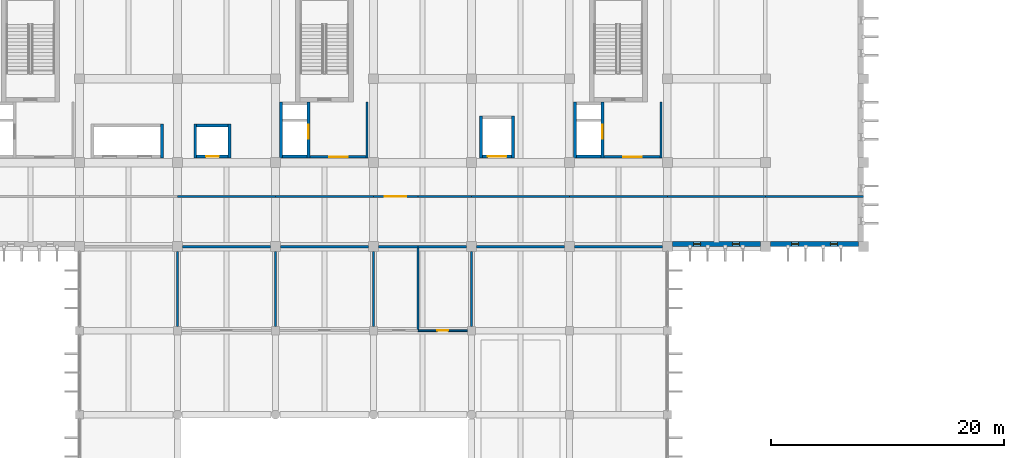
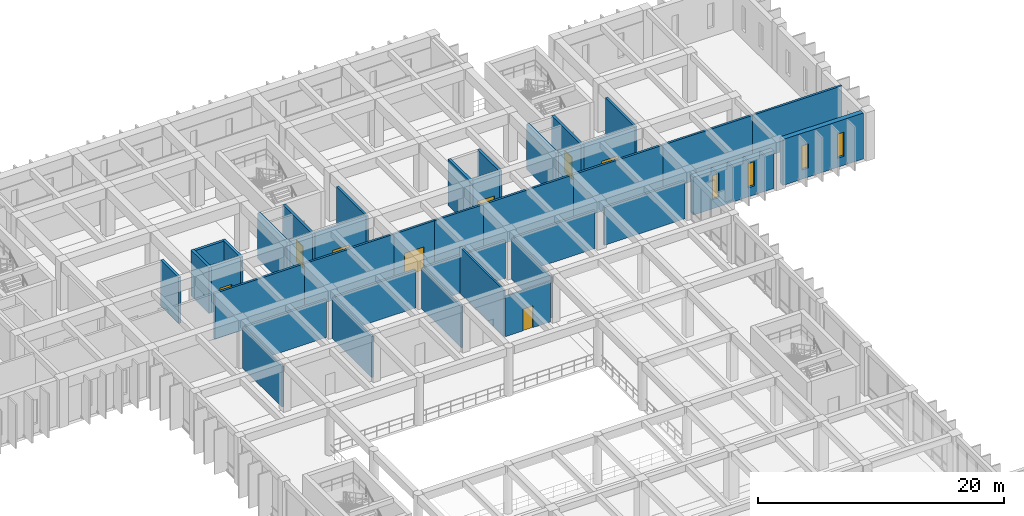
# One storey, part 35 of 51: 40 walls, 8 doors, 4 windows, 12 openings.
"""IFC4 building model written with IfcOpenShell, lengths in metres."""

from ifc_helpers import new_model, si_unit, direction, frame, frame_2d, origin, place, context, subcontext, project, spatial, rectangle, extrude, material, layer, layer_set, type_object, element, fill, save


model = new_model("IFC4")

# Units and contexts
model_context = context("Model", 3, precision=1e-05, world=origin(), true_north=direction((0.0, 1.0)))
body_context = subcontext(model_context, "Body", "Model", "MODEL_VIEW")
ifc_project = project(units=[si_unit("LENGTHUNIT", "METRE"), si_unit("AREAUNIT", "SQUARE_METRE"), si_unit("VOLUMEUNIT", "CUBIC_METRE"), si_unit("PLANEANGLEUNIT", "RADIAN"), si_unit("MASSUNIT", "GRAM", prefix="KILO")], contexts=[model_context])

# Site, building, storey
site_placement = place(None, origin())
site = spatial("IfcSite", under=ifc_project, at=site_placement, CompositionType="ELEMENT")
building_placement = place(site_placement, origin())
building = spatial("IfcBuilding", under=site, at=building_placement, Name="Kenerak Square Central Library", CompositionType="ELEMENT")
storey_placement = place(building_placement, frame((0.0, 0.0, 9.60009765625)))
storey = spatial("IfcBuildingStorey", under=building, at=storey_placement, Name="L02", CompositionType="ELEMENT", Elevation=9.60009765625)

# Wall, opening, door
ifc_material_1 = material(Name="Precast concrete C40/50", Category="concrete")
ifc_layer_1 = layer(ifc_material_1, 0.14990234375)
ifc_layer_set_1 = layer_set([ifc_layer_1], Name="Precast concrete C40/50")
wall_type_1 = type_object("IfcWallType", Name="Acoustic Blockwork Partition IW-150 C40/50", PredefinedType="PARTITIONING", material=ifc_layer_set_1)
wall_1_placement = place(storey_placement, frame((100.050048828125, 81.60009765625, 0.0), z_axis=(0.0, 0.0, 1.0), x_axis=(-1.0, 0.0, 0.0)))
wall_1 = element("IfcWall", 1, at=wall_1_placement, inside=storey, type_object=wall_type_1, Name="Interior Wall IW-L02-14-S1-B1", PredefinedType="PARTITIONING", context=body_context, shape_type="SweptSolid", body=[
    extrude(rectangle(XDim=4.25, YDim=0.14990234375, at=frame_2d((2.125, 0.0))), origin(), (0.0, 0.0, 1.0), 4.0),
])
opening_1_placement = place(wall_1_placement, frame((1.64990234375, 0.0, 0.0)))
opening_1 = element("IfcOpeningElement", 2, at=opening_1_placement, cuts=wall_1, Name="Opening ID-02", PredefinedType="OPENING", context=body_context, shape_type="SweptSolid", body=[
    extrude(rectangle(XDim=0.949951171875, YDim=2.14990234375, at=frame_2d((0.47509765625, 1.074951171875))), frame((0.0, 0.0849609375, 0.0), z_axis=(0.0, -1.0, 0.0), x_axis=(1.0, 0.0, 0.0)), (0.0, 0.0, 1.0), 0.169921875),
])
ifc_material_2 = material(Name="Chengal hardwood timber SG1", Category="wood")
door_type_1 = type_object("IfcDoorType", Name="Study Carrel Timber Door ID-950x2150", OperationType="NOTDEFINED", PredefinedType="DOOR", material=ifc_material_2)
door_1_placement = place(opening_1_placement, origin())
door_1 = element("IfcDoor", 3, at=door_1_placement, inside=storey, type_object=door_type_1, Name="Level 02 Collaborative Group Study Room Door", OperationType="SINGLE_SWING_LEFT", OverallHeight=2.14990234375, OverallWidth=0.949951171875, PredefinedType="DOOR", context=body_context, shape_type="SweptSolid", body=[
    extrude(rectangle(XDim=0.949951171875, YDim=2.14990234375, at=frame_2d((0.47509765625, 1.074951171875))), frame((0.0, 0.02490234375, 0.0), z_axis=(0.0, -1.0, 0.0), x_axis=(1.0, 0.0, 0.0)), (0.0, 0.0, 1.0), 0.050048828125),
])
fill(opening_1, door_1)

# Walls
wall_2_placement = place(storey_placement, frame((100.39990234375, 88.375, 0.0), z_axis=(0.0, 0.0, 1.0), x_axis=(0.0, -1.0, 0.0)))
element("IfcWall", 4, at=wall_2_placement, inside=storey, type_object=wall_type_1, Name="Interior Wall IW-L02-14-E4-B1", PredefinedType="PARTITIONING", context=body_context, shape_type="SweptSolid", body=[
    extrude(rectangle(XDim=6.425048828125, YDim=0.14990234375, at=frame_2d((3.21240234375, 0.0))), origin(), (0.0, 0.0, 1.0), 4.0498046875),
])
ifc_material_3 = material(Name="Concrete C40/50", Category="concrete")
ifc_layer_2 = layer(ifc_material_3, 0.199951171875)
ifc_layer_set_2 = layer_set([ifc_layer_2], Name="Concrete C40/50")
wall_type_2 = type_object("IfcWallType", Name="Lobby Compartment Wall LW-200 C40/50", PredefinedType="SOLIDWALL", material=ifc_layer_set_2)
wall_3_placement = place(storey_placement, frame((91.449951171875, 101.199951171875, 0.0), z_axis=(0.0, 0.0, 1.0), x_axis=(0.0, -1.0, 0.0)))
element("IfcWall", 5, at=wall_3_placement, inside=storey, type_object=wall_type_2, Name="Firefighting Lobby East Wall C2 L02", PredefinedType="SOLIDWALL", context=body_context, shape_type="SweptSolid", body=[
    extrude(rectangle(XDim=4.800048828125, YDim=0.199951171875, at=frame_2d((2.39990234375, 0.0))), origin(), (0.0, 0.0, 1.0), 4.5),
])

# Wall, opening, door
wall_4_placement = place(storey_placement, frame((91.35009765625, 96.5, 0.0), z_axis=(0.0, 0.0, 1.0), x_axis=(-1.0, 0.0, 0.0)))
wall_4 = element("IfcWall", 6, at=wall_4_placement, inside=storey, type_object=wall_type_2, Name="Firefighting Lobby South Wall C2 L02", PredefinedType="SOLIDWALL", context=body_context, shape_type="SweptSolid", body=[
    extrude(rectangle(XDim=4.800048828125, YDim=0.199951171875, at=frame_2d((2.39990234375, 0.0))), origin(), (0.0, 0.0, 1.0), 4.5),
])
opening_2_placement = place(wall_4_placement, frame((1.550048828125, 0.0, 0.0)))
opening_2 = element("IfcOpeningElement", 7, at=opening_2_placement, cuts=wall_4, Name="Opening D-FFL", PredefinedType="OPENING", context=body_context, shape_type="SweptSolid", body=[
    extrude(rectangle(XDim=1.60009765625, YDim=2.199951171875, at=frame_2d((0.800048828125, 1.10009765625))), frame((0.0, 0.10986328125, 0.0), z_axis=(0.0, -1.0, 0.0), x_axis=(1.0, 0.0, 0.0)), (0.0, 0.0, 1.0), 0.219970703125),
])
ifc_material_4 = material(Name="Steel S355", Category="steel")
door_type_2 = type_object("IfcDoorType", Name="Firefighting Lobby Double Door FD-1600x2200 FD60S", OperationType="NOTDEFINED", PredefinedType="DOOR", material=ifc_material_4)
door_2_placement = place(opening_2_placement, frame((1.60009765625, 0.0, 0.0), z_axis=(0.0, 0.0, 1.0), x_axis=(-1.0, 0.0, 0.0)))
door_2 = element("IfcDoor", 8, at=door_2_placement, inside=storey, type_object=door_type_2, Name="Firefighting Lobby Door C2 L02", OperationType="DOUBLE_DOOR_SINGLE_SWING", OverallHeight=2.199951171875, OverallWidth=1.60009765625, PredefinedType="DOOR", context=body_context, shape_type="SweptSolid", body=[
    extrude(rectangle(XDim=1.60009765625, YDim=2.199951171875, at=frame_2d((0.800048828125, 1.10009765625))), frame((0.0, 0.02490234375, 0.0), z_axis=(0.0, -1.0, 0.0), x_axis=(1.0, 0.0, 0.0)), (0.0, 0.0, 1.0), 0.050048828125),
])
fill(opening_2, door_2)

# Wall
wall_5_placement = place(storey_placement, frame((116.64990234375, 101.199951171875, 0.0), z_axis=(0.0, 0.0, 1.0), x_axis=(0.0, -1.0, 0.0)))
element("IfcWall", 9, at=wall_5_placement, inside=storey, type_object=wall_type_2, Name="Firefighting Lobby East Wall C3 L02", PredefinedType="SOLIDWALL", context=body_context, shape_type="SweptSolid", body=[
    extrude(rectangle(XDim=4.800048828125, YDim=0.199951171875, at=frame_2d((2.39990234375, 0.0))), origin(), (0.0, 0.0, 1.0), 4.5),
])

# Wall, opening, door
wall_6_placement = place(storey_placement, frame((116.550048828125, 96.5, 0.0), z_axis=(0.0, 0.0, 1.0), x_axis=(-1.0, 0.0, 0.0)))
wall_6 = element("IfcWall", 10, at=wall_6_placement, inside=storey, type_object=wall_type_2, Name="Firefighting Lobby South Wall C3 L02", PredefinedType="SOLIDWALL", context=body_context, shape_type="SweptSolid", body=[
    extrude(rectangle(XDim=4.800048828125, YDim=0.199951171875, at=frame_2d((2.39990234375, 0.0))), origin(), (0.0, 0.0, 1.0), 4.5),
])
opening_3_placement = place(wall_6_placement, frame((1.550048828125, 0.0, 0.0)))
opening_3 = element("IfcOpeningElement", 11, at=opening_3_placement, cuts=wall_6, Name="Opening D-FFL", PredefinedType="OPENING", context=body_context, shape_type="SweptSolid", body=[
    extrude(rectangle(XDim=1.60009765625, YDim=2.199951171875, at=frame_2d((0.800048828125, 1.10009765625))), frame((0.0, 0.10986328125, 0.0), z_axis=(0.0, -1.0, 0.0), x_axis=(1.0, 0.0, 0.0)), (0.0, 0.0, 1.0), 0.219970703125),
])
door_3_placement = place(opening_3_placement, frame((1.60009765625, 0.0, 0.0), z_axis=(0.0, 0.0, 1.0), x_axis=(-1.0, 0.0, 0.0)))
door_3 = element("IfcDoor", 12, at=door_3_placement, inside=storey, type_object=door_type_2, Name="Firefighting Lobby Door C3 L02", OperationType="DOUBLE_DOOR_SINGLE_SWING", OverallHeight=2.199951171875, OverallWidth=1.60009765625, PredefinedType="DOOR", context=body_context, shape_type="SweptSolid", body=[
    extrude(rectangle(XDim=1.60009765625, YDim=2.199951171875, at=frame_2d((0.800048828125, 1.10009765625))), frame((0.0, 0.02490234375, 0.0), z_axis=(0.0, -1.0, 0.0), x_axis=(1.0, 0.0, 0.0)), (0.0, 0.0, 1.0), 0.050048828125),
])
fill(opening_3, door_3)

# Walls
ifc_layer_3 = layer(ifc_material_1, 0.199951171875)
ifc_layer_set_3 = layer_set([ifc_layer_3], Name="Precast concrete C40/50")
wall_type_3 = type_object("IfcWallType", Name="Protected Corridor Fire Wall IW-200 C40/50", PredefinedType="PARTITIONING", material=ifc_layer_set_3)
wall_7_placement = place(storey_placement, frame((75.199951171875, 93.10009765625, 0.0), z_axis=(0.0, 0.0, 1.0), x_axis=(1.0, 0.0, 0.0)))
element("IfcWall", 13, at=wall_7_placement, inside=storey, type_object=wall_type_3, Name="Interior Wall IW-L02-06-N2-B4", PredefinedType="PARTITIONING", context=body_context, shape_type="SweptSolid", body=[
    extrude(rectangle(XDim=8.400146484375, YDim=0.199951171875, at=frame_2d((4.2001953125, 0.0))), origin(), (0.0, 0.0, 1.0), 4.5498046875),
])
wall_8_placement = place(storey_placement, frame((83.60009765625, 93.10009765625, 0.0), z_axis=(0.0, 0.0, 1.0), x_axis=(1.0, 0.0, 0.0)))
element("IfcWall", 14, at=wall_8_placement, inside=storey, type_object=wall_type_3, Name="Interior Wall IW-L02-06-N2-B5", PredefinedType="PARTITIONING", context=body_context, shape_type="SweptSolid", body=[
    extrude(rectangle(XDim=8.39990234375, YDim=0.199951171875, at=frame_2d((4.199951171875, 0.0))), origin(), (0.0, 0.0, 1.0), 4.5498046875),
])

# Wall, opening, door
wall_9_placement = place(storey_placement, frame((92.0, 93.10009765625, 0.0), z_axis=(0.0, 0.0, 1.0), x_axis=(1.0, 0.0, 0.0)))
wall_9 = element("IfcWall", 15, at=wall_9_placement, inside=storey, type_object=wall_type_3, Name="Interior Wall IW-L02-06-N2-B6", PredefinedType="PARTITIONING", context=body_context, shape_type="SweptSolid", body=[
    extrude(rectangle(XDim=3.800048828125, YDim=0.199951171875, at=frame_2d((1.89990234375, 0.0))), origin(), (0.0, 0.0, 1.0), 4.5498046875),
])
opening_4_placement = place(wall_9_placement, frame((0.97509765625, 0.0, 0.0)))
opening_4 = element("IfcOpeningElement", 16, at=opening_4_placement, cuts=wall_9, Name="Opening ID-09", PredefinedType="OPENING", context=body_context, shape_type="SweptSolid", body=[
    extrude(rectangle(XDim=1.85009765625, YDim=2.300048828125, at=frame_2d((0.925048828125, 1.14990234375))), frame((0.0, 0.10986328125, 0.0), z_axis=(0.0, -1.0, 0.0), x_axis=(1.0, 0.0, 0.0)), (0.0, 0.0, 1.0), 0.219970703125),
])
ifc_material_5 = material(Name="Anodised aluminium and laminated glass", Category="aluminium")
door_type_3 = type_object("IfcDoorType", Name="Reading Room Glazed Double Door ID-1850x2300 FD60S", OperationType="NOTDEFINED", PredefinedType="DOOR", material=ifc_material_5)
door_4_placement = place(opening_4_placement, origin())
door_4 = element("IfcDoor", 17, at=door_4_placement, inside=storey, type_object=door_type_3, Name="History and Geography Open Book Stacks Door", OperationType="DOUBLE_DOOR_SINGLE_SWING", OverallHeight=2.300048828125, OverallWidth=1.85009765625, PredefinedType="DOOR", context=body_context, shape_type="SweptSolid", body=[
    extrude(rectangle(XDim=1.85009765625, YDim=2.300048828125, at=frame_2d((0.925048828125, 1.14990234375))), frame((0.0, 0.02490234375, 0.0), z_axis=(0.0, -1.0, 0.0), x_axis=(1.0, 0.0, 0.0)), (0.0, 0.0, 1.0), 0.050048828125),
])
fill(opening_4, door_4)

# Walls
wall_10_placement = place(storey_placement, frame((95.800048828125, 93.10009765625, 0.0), z_axis=(0.0, 0.0, 1.0), x_axis=(1.0, 0.0, 0.0)))
element("IfcWall", 18, at=wall_10_placement, inside=storey, type_object=wall_type_3, Name="Interior Wall IW-L02-06-N2-B7", PredefinedType="PARTITIONING", context=body_context, shape_type="SweptSolid", body=[
    extrude(rectangle(XDim=4.599853515625, YDim=0.199951171875, at=frame_2d((2.2998046875, 0.0))), origin(), (0.0, 0.0, 1.0), 4.5498046875),
])
wall_11_placement = place(storey_placement, frame((100.39990234375, 93.10009765625, 0.0), z_axis=(0.0, 0.0, 1.0), x_axis=(1.0, 0.0, 0.0)))
element("IfcWall", 19, at=wall_11_placement, inside=storey, type_object=wall_type_3, Name="Interior Wall IW-L02-06-N2-B8", PredefinedType="PARTITIONING", context=body_context, shape_type="SweptSolid", body=[
    extrude(rectangle(XDim=8.400146484375, YDim=0.199951171875, at=frame_2d((4.2001953125, 0.0))), origin(), (0.0, 0.0, 1.0), 4.5498046875),
])
wall_12_placement = place(storey_placement, frame((108.800048828125, 93.10009765625, 0.0), z_axis=(0.0, 0.0, 1.0), x_axis=(1.0, 0.0, 0.0)))
element("IfcWall", 20, at=wall_12_placement, inside=storey, type_object=wall_type_3, Name="Interior Wall IW-L02-06-N2-B9", PredefinedType="PARTITIONING", context=body_context, shape_type="SweptSolid", body=[
    extrude(rectangle(XDim=8.39990234375, YDim=0.199951171875, at=frame_2d((4.199951171875, 0.0))), origin(), (0.0, 0.0, 1.0), 4.5498046875),
])
wall_13_placement = place(storey_placement, frame((117.199951171875, 93.10009765625, 0.0), z_axis=(0.0, 0.0, 1.0), x_axis=(1.0, 0.0, 0.0)))
element("IfcWall", 21, at=wall_13_placement, inside=storey, type_object=wall_type_3, Name="Interior Wall IW-L02-06-N2-B10", PredefinedType="PARTITIONING", context=body_context, shape_type="SweptSolid", body=[
    extrude(rectangle(XDim=8.400146484375, YDim=0.199951171875, at=frame_2d((4.2001953125, 0.0))), origin(), (0.0, 0.0, 1.0), 4.5498046875),
])
wall_14_placement = place(storey_placement, frame((125.60009765625, 93.10009765625, 0.0), z_axis=(0.0, 0.0, 1.0), x_axis=(1.0, 0.0, 0.0)))
element("IfcWall", 22, at=wall_14_placement, inside=storey, type_object=wall_type_3, Name="Interior Wall IW-L02-06-N2-B11", PredefinedType="PARTITIONING", context=body_context, shape_type="SweptSolid", body=[
    extrude(rectangle(XDim=8.39990234375, YDim=0.199951171875, at=frame_2d((4.199951171875, 0.0))), origin(), (0.0, 0.0, 1.0), 4.5498046875),
])
wall_15_placement = place(storey_placement, frame((116.77490234375, 88.800048828125, 0.0), z_axis=(0.0, 0.0, 1.0), x_axis=(-1.0, 0.0, 0.0)))
element("IfcWall", 23, at=wall_15_placement, inside=storey, type_object=wall_type_3, Name="Interior Wall IW-L02-06-S1-B3", PredefinedType="PARTITIONING", context=body_context, shape_type="SweptSolid", body=[
    extrude(rectangle(XDim=7.5498046875, YDim=0.199951171875, at=frame_2d((3.77490234375, 0.0))), origin(), (0.0, 0.0, 1.0), 3.75),
])
wall_16_placement = place(storey_placement, frame((108.375, 88.800048828125, 0.0), z_axis=(0.0, 0.0, 1.0), x_axis=(-1.0, 0.0, 0.0)))
element("IfcWall", 24, at=wall_16_placement, inside=storey, type_object=wall_type_3, Name="Interior Wall IW-L02-06-S1-B4", PredefinedType="PARTITIONING", context=body_context, shape_type="SweptSolid", body=[
    extrude(rectangle(XDim=7.550048828125, YDim=0.199951171875, at=frame_2d((3.77490234375, 0.0))), origin(), (0.0, 0.0, 1.0), 3.75),
])
wall_17_placement = place(storey_placement, frame((99.97509765625, 88.800048828125, 0.0), z_axis=(0.0, 0.0, 1.0), x_axis=(-1.0, 0.0, 0.0)))
element("IfcWall", 25, at=wall_17_placement, inside=storey, type_object=wall_type_3, Name="Interior Wall IW-L02-06-S1-B5", PredefinedType="PARTITIONING", context=body_context, shape_type="SweptSolid", body=[
    extrude(rectangle(XDim=4.175048828125, YDim=0.199951171875, at=frame_2d((2.08740234375, 0.0))), origin(), (0.0, 0.0, 1.0), 3.75),
])
wall_18_placement = place(storey_placement, frame((95.800048828125, 88.800048828125, 0.0), z_axis=(0.0, 0.0, 1.0), x_axis=(-1.0, 0.0, 0.0)))
element("IfcWall", 26, at=wall_18_placement, inside=storey, type_object=wall_type_3, Name="Interior Wall IW-L02-06-S1-B6", PredefinedType="PARTITIONING", context=body_context, shape_type="SweptSolid", body=[
    extrude(rectangle(XDim=3.375, YDim=0.199951171875, at=frame_2d((1.6875, 0.0))), origin(), (0.0, 0.0, 1.0), 3.75),
])
for number, where, z_axis, x_axis, name in (
    (27, (91.574951171875, 88.800048828125, 0.0), (0.0, 0.0, 1.0), (-1.0, 0.0, 0.0), "Interior Wall IW-L02-06-S1-B7"),
    (28, (83.175048828125, 88.800048828125, 0.0), (0.0, 0.0, 1.0), (-1.0, 0.0, 0.0), "Interior Wall IW-L02-06-S1-B8"),
):
    element("IfcWall", number, at=place(storey_placement, frame(where, z_axis=z_axis, x_axis=x_axis)), inside=storey, type_object=wall_type_3, Name=name, PredefinedType="PARTITIONING", context=body_context, shape_type="SweptSolid", body=[
        extrude(rectangle(XDim=7.550048828125, YDim=0.199951171875, at=frame_2d((3.77490234375, 0.0))), origin(), (0.0, 0.0, 1.0), 3.75),
    ])

# Wall, openings, windows
ifc_layer_4 = layer(ifc_material_3, 0.449951171875)
ifc_layer_set_4 = layer_set([ifc_layer_4], Name="Concrete C40/50")
wall_type_4 = type_object("IfcWallType", Name="Rare-Books Vault Exterior Wall VW-450 C40/50", PredefinedType="SOLIDWALL", material=ifc_layer_set_4)
wall_19_placement = place(storey_placement, frame((133.574951171875, 89.02490234375, 0.0), z_axis=(0.0, 0.0, 1.0), x_axis=(-1.0, 0.0, 0.0)))
wall_19 = element("IfcWall", 29, at=wall_19_placement, inside=storey, type_object=wall_type_4, Name="Exterior Facade Wall L02 0187", PredefinedType="SOLIDWALL", context=body_context, shape_type="SweptSolid", body=[
    extrude(rectangle(XDim=7.550048828125, YDim=0.449951171875, at=frame_2d((3.77490234375, 0.0))), origin(), (0.0, 0.0, 1.0), 4.5498046875),
])
opening_5_placement = place(wall_19_placement, frame((1.81396484375, 0.0, 0.89990234375)))
opening_5 = element("IfcOpeningElement", 30, at=opening_5_placement, cuts=wall_19, Name="Opening W-01", PredefinedType="OPENING", context=body_context, shape_type="SweptSolid", body=[
    extrude(rectangle(XDim=0.60009765625, YDim=2.39990234375, at=frame_2d((0.300048828125, 1.199951171875))), frame((0.0, 0.23486328125, 0.0), z_axis=(0.0, -1.0, 0.0), x_axis=(1.0, 0.0, 0.0)), (0.0, 0.0, 1.0), 0.469970703125),
])
opening_6_placement = place(wall_19_placement, frame((5.135986328125, 0.0, 0.89990234375)))
opening_6 = element("IfcOpeningElement", 31, at=opening_6_placement, cuts=wall_19, Name="Opening W-01", PredefinedType="OPENING", context=body_context, shape_type="SweptSolid", body=[
    extrude(rectangle(XDim=0.60009765625, YDim=2.39990234375, at=frame_2d((0.300048828125, 1.199951171875))), frame((0.0, 0.23486328125, 0.0), z_axis=(0.0, -1.0, 0.0), x_axis=(1.0, 0.0, 0.0)), (0.0, 0.0, 1.0), 0.469970703125),
])
ifc_material_6 = material(Name="Solar-control low-E laminated double glazing", Category="glass")
window_type = type_object("IfcWindowType", Name="UV-Filtered Stack Slot Window W-01 600x2400", PartitioningType="SINGLE_PANEL", PredefinedType="WINDOW", material=ifc_material_6)
window_1_placement = place(opening_5_placement, origin())
window_1 = element("IfcWindow", 32, at=window_1_placement, inside=storey, type_object=window_type, Name="Window W-01 L02 0192", OverallHeight=2.39990234375, OverallWidth=0.60009765625, PartitioningType="SINGLE_PANEL", PredefinedType="WINDOW", context=body_context, shape_type="SweptSolid", body=[
    extrude(rectangle(XDim=0.60009765625, YDim=2.39990234375, at=frame_2d((0.300048828125, 1.199951171875))), frame((0.0, 0.030029296875, 0.0), z_axis=(0.0, -1.0, 0.0), x_axis=(1.0, 0.0, 0.0)), (0.0, 0.0, 1.0), 0.06005859375),
])
fill(opening_5, window_1)
window_2_placement = place(opening_6_placement, origin())
window_2 = element("IfcWindow", 33, at=window_2_placement, inside=storey, type_object=window_type, Name="Window W-01 L02 0193", OverallHeight=2.39990234375, OverallWidth=0.60009765625, PartitioningType="SINGLE_PANEL", PredefinedType="WINDOW", context=body_context, shape_type="SweptSolid", body=[
    extrude(rectangle(XDim=0.60009765625, YDim=2.39990234375, at=frame_2d((0.300048828125, 1.199951171875))), frame((0.0, 0.030029296875, 0.0), z_axis=(0.0, -1.0, 0.0), x_axis=(1.0, 0.0, 0.0)), (0.0, 0.0, 1.0), 0.06005859375),
])
fill(opening_6, window_2)

wall_20_placement = place(storey_placement, frame((125.175048828125, 89.02490234375, 0.0), z_axis=(0.0, 0.0, 1.0), x_axis=(-1.0, 0.0, 0.0)))
wall_20 = element("IfcWall", 34, at=wall_20_placement, inside=storey, type_object=wall_type_4, Name="Exterior Facade Wall L02 0188", PredefinedType="SOLIDWALL", context=body_context, shape_type="SweptSolid", body=[
    extrude(rectangle(XDim=7.550048828125, YDim=0.449951171875, at=frame_2d((3.77490234375, 0.0))), origin(), (0.0, 0.0, 1.0), 3.75),
])
opening_7_placement = place(wall_20_placement, frame((1.81396484375, 0.0, 0.89990234375)))
opening_7 = element("IfcOpeningElement", 35, at=opening_7_placement, cuts=wall_20, Name="Opening W-01", PredefinedType="OPENING", context=body_context, shape_type="SweptSolid", body=[
    extrude(rectangle(XDim=0.60009765625, YDim=2.39990234375, at=frame_2d((0.300048828125, 1.199951171875))), frame((0.0, 0.23486328125, 0.0), z_axis=(0.0, -1.0, 0.0), x_axis=(1.0, 0.0, 0.0)), (0.0, 0.0, 1.0), 0.469970703125),
])
opening_8_placement = place(wall_20_placement, frame((5.135986328125, 0.0, 0.89990234375)))
opening_8 = element("IfcOpeningElement", 36, at=opening_8_placement, cuts=wall_20, Name="Opening W-01", PredefinedType="OPENING", context=body_context, shape_type="SweptSolid", body=[
    extrude(rectangle(XDim=0.60009765625, YDim=2.39990234375, at=frame_2d((0.300048828125, 1.199951171875))), frame((0.0, 0.23486328125, 0.0), z_axis=(0.0, -1.0, 0.0), x_axis=(1.0, 0.0, 0.0)), (0.0, 0.0, 1.0), 0.469970703125),
])
window_3_placement = place(opening_7_placement, origin())
window_3 = element("IfcWindow", 37, at=window_3_placement, inside=storey, type_object=window_type, Name="Window W-01 L02 0194", OverallHeight=2.39990234375, OverallWidth=0.60009765625, PartitioningType="SINGLE_PANEL", PredefinedType="WINDOW", context=body_context, shape_type="SweptSolid", body=[
    extrude(rectangle(XDim=0.60009765625, YDim=2.39990234375, at=frame_2d((0.300048828125, 1.199951171875))), frame((0.0, 0.030029296875, 0.0), z_axis=(0.0, -1.0, 0.0), x_axis=(1.0, 0.0, 0.0)), (0.0, 0.0, 1.0), 0.06005859375),
])
fill(opening_7, window_3)
window_4_placement = place(opening_8_placement, origin())
window_4 = element("IfcWindow", 38, at=window_4_placement, inside=storey, type_object=window_type, Name="Window W-01 L02 0195", OverallHeight=2.39990234375, OverallWidth=0.60009765625, PartitioningType="SINGLE_PANEL", PredefinedType="WINDOW", context=body_context, shape_type="SweptSolid", body=[
    extrude(rectangle(XDim=0.60009765625, YDim=2.39990234375, at=frame_2d((0.300048828125, 1.199951171875))), frame((0.0, 0.030029296875, 0.0), z_axis=(0.0, -1.0, 0.0), x_axis=(1.0, 0.0, 0.0)), (0.0, 0.0, 1.0), 0.06005859375),
])
fill(opening_8, window_4)

# Walls
ifc_layer_5 = layer(ifc_material_1, 0.175048828125)
ifc_layer_set_5 = layer_set([ifc_layer_5], Name="Precast concrete C40/50")
wall_type_5 = type_object("IfcWallType", Name="Sanitary Plumbing Chase Wall IW-175 C40/50", PredefinedType="PLUMBINGWALL", material=ifc_layer_set_5)
for number, where, z_axis, x_axis, name in (
    (39, (75.199951171875, 81.949951171875, 0.0), (0.0, 0.0, 1.0), (0.0, 1.0, 0.0), "Interior Wall IW-L02-08-W3-B1"),
    (40, (83.60009765625, 88.375, 0.0), (0.0, 0.0, 1.0), (0.0, -1.0, 0.0), "Interior Wall IW-L02-08-E4-B1"),
    (41, (92.0, 88.375, 0.0), (0.0, 0.0, 1.0), (0.0, -1.0, 0.0), "Interior Wall IW-L02-09-E4-B1"),
):
    element("IfcWall", number, at=place(storey_placement, frame(where, z_axis=z_axis, x_axis=x_axis)), inside=storey, type_object=wall_type_5, Name=name, PredefinedType="PLUMBINGWALL", context=body_context, shape_type="SweptSolid", body=[
        extrude(rectangle(XDim=6.425048828125, YDim=0.175048828125, at=frame_2d((3.21240234375, 0.0))), origin(), (0.0, 0.0, 1.0), 4.0498046875),
    ])
wall_21_placement = place(storey_placement, frame((95.800048828125, 88.800048828125, 0.0), z_axis=(0.0, 0.0, 1.0), x_axis=(0.0, -1.0, 0.0)))
element("IfcWall", 42, at=wall_21_placement, inside=storey, type_object=wall_type_5, Name="Interior Wall IW-L02-10-E4-B1", PredefinedType="PLUMBINGWALL", context=body_context, shape_type="SweptSolid", body=[
    extrude(rectangle(XDim=7.199951171875, YDim=0.175048828125, at=frame_2d((3.60009765625, 0.0))), origin(), (0.0, 0.0, 1.0), 4.5498046875),
])
ifc_layer_6 = layer(ifc_material_3, 0.25)
ifc_layer_set_6 = layer_set([ifc_layer_6], Name="Concrete C40/50")
wall_type_6 = type_object("IfcWallType", Name="Shaft Enclosure Wall SW-250 C40/50", PredefinedType="SOLIDWALL", material=ifc_layer_set_6)
wall_22_placement = place(storey_placement, frame((84.074951171875, 96.39990234375, 0.0), z_axis=(0.0, 0.0, 1.0), x_axis=(0.0, 1.0, 0.0)))
element("IfcWall", 43, at=wall_22_placement, inside=storey, type_object=wall_type_6, Name="Core Wall FLW-C2 L02 West", PredefinedType="SOLIDWALL", context=body_context, shape_type="SweptSolid", body=[
    extrude(rectangle(XDim=4.800048828125, YDim=0.25, at=frame_2d((2.39990234375, 0.0))), origin(), (0.0, 0.0, 1.0), 4.5),
])

# Wall, opening, door
wall_23_placement = place(storey_placement, frame((86.425048828125, 101.199951171875, 0.0), z_axis=(0.0, 0.0, 1.0), x_axis=(0.0, -1.0, 0.0)))
wall_23 = element("IfcWall", 44, at=wall_23_placement, inside=storey, type_object=wall_type_6, Name="Core Wall FLW-C2 L02 East", PredefinedType="SOLIDWALL", context=body_context, shape_type="SweptSolid", body=[
    extrude(rectangle(XDim=4.800048828125, YDim=0.25, at=frame_2d((2.39990234375, 0.0))), origin(), (0.0, 0.0, 1.0), 4.5),
])
opening_9_placement = place(wall_23_placement, frame((1.949951171875, 0.0, 0.0)))
opening_9 = element("IfcOpeningElement", 45, at=opening_9_placement, cuts=wall_23, Name="Opening LD-FL", PredefinedType="OPENING", context=body_context, shape_type="SweptSolid", body=[
    extrude(rectangle(XDim=1.199951171875, YDim=2.199951171875, at=frame_2d((0.60009765625, 1.10009765625))), frame((0.0, 0.135009765625, 0.0), z_axis=(0.0, -1.0, 0.0), x_axis=(1.0, 0.0, 0.0)), (0.0, 0.0, 1.0), 0.27001953125),
])
door_type_4 = type_object("IfcDoorType", Name="Firefighting Lift Sliding Landing Door LD-1200x2200 FD120S", OperationType="NOTDEFINED", PredefinedType="DOOR", material=ifc_material_4)
door_5_placement = place(opening_9_placement, origin())
door_5 = element("IfcDoor", 46, at=door_5_placement, inside=storey, type_object=door_type_4, Name="Firefighting Lift Landing Door FL-02 L02", OperationType="SLIDING_TO_LEFT", OverallHeight=2.199951171875, OverallWidth=1.199951171875, PredefinedType="DOOR", context=body_context, shape_type="SweptSolid", body=[
    extrude(rectangle(XDim=1.199951171875, YDim=2.199951171875, at=frame_2d((0.60009765625, 1.10009765625))), frame((0.0, 0.02490234375, 0.0), z_axis=(0.0, -1.0, 0.0), x_axis=(1.0, 0.0, 0.0)), (0.0, 0.0, 1.0), 0.050048828125),
])
fill(opening_9, door_5)

# Walls
wall_24_placement = place(storey_placement, frame((86.300048828125, 96.52490234375, 0.0), z_axis=(0.0, 0.0, 1.0), x_axis=(-1.0, 0.0, 0.0)))
element("IfcWall", 47, at=wall_24_placement, inside=storey, type_object=wall_type_6, Name="Core Wall FLW-C2 L02 South", PredefinedType="SOLIDWALL", context=body_context, shape_type="SweptSolid", body=[
    extrude(rectangle(XDim=2.10009765625, YDim=0.25, at=frame_2d((1.050048828125, 0.0))), origin(), (0.0, 0.0, 1.0), 4.5),
])
wall_25_placement = place(storey_placement, frame((109.27490234375, 96.39990234375, 0.0), z_axis=(0.0, 0.0, 1.0), x_axis=(0.0, 1.0, 0.0)))
element("IfcWall", 48, at=wall_25_placement, inside=storey, type_object=wall_type_6, Name="Core Wall FLW-C3 L02 West", PredefinedType="SOLIDWALL", context=body_context, shape_type="SweptSolid", body=[
    extrude(rectangle(XDim=4.800048828125, YDim=0.25, at=frame_2d((2.39990234375, 0.0))), origin(), (0.0, 0.0, 1.0), 4.5),
])

# Wall, opening, door
wall_26_placement = place(storey_placement, frame((111.625, 101.199951171875, 0.0), z_axis=(0.0, 0.0, 1.0), x_axis=(0.0, -1.0, 0.0)))
wall_26 = element("IfcWall", 49, at=wall_26_placement, inside=storey, type_object=wall_type_6, Name="Core Wall FLW-C3 L02 East", PredefinedType="SOLIDWALL", context=body_context, shape_type="SweptSolid", body=[
    extrude(rectangle(XDim=4.800048828125, YDim=0.25, at=frame_2d((2.39990234375, 0.0))), origin(), (0.0, 0.0, 1.0), 4.5),
])
opening_10_placement = place(wall_26_placement, frame((1.949951171875, 0.0, 0.0)))
opening_10 = element("IfcOpeningElement", 50, at=opening_10_placement, cuts=wall_26, Name="Opening LD-FL", PredefinedType="OPENING", context=body_context, shape_type="SweptSolid", body=[
    extrude(rectangle(XDim=1.199951171875, YDim=2.199951171875, at=frame_2d((0.60009765625, 1.10009765625))), frame((0.0, 0.135009765625, 0.0), z_axis=(0.0, -1.0, 0.0), x_axis=(1.0, 0.0, 0.0)), (0.0, 0.0, 1.0), 0.27001953125),
])
door_6_placement = place(opening_10_placement, origin())
door_6 = element("IfcDoor", 51, at=door_6_placement, inside=storey, type_object=door_type_4, Name="Firefighting Lift Landing Door FL-03 L02", OperationType="SLIDING_TO_LEFT", OverallHeight=2.199951171875, OverallWidth=1.199951171875, PredefinedType="DOOR", context=body_context, shape_type="SweptSolid", body=[
    extrude(rectangle(XDim=1.199951171875, YDim=2.199951171875, at=frame_2d((0.60009765625, 1.10009765625))), frame((0.0, 0.02490234375, 0.0), z_axis=(0.0, -1.0, 0.0), x_axis=(1.0, 0.0, 0.0)), (0.0, 0.0, 1.0), 0.050048828125),
])
fill(opening_10, door_6)

# Walls
wall_27_placement = place(storey_placement, frame((111.5, 96.52490234375, 0.0), z_axis=(0.0, 0.0, 1.0), x_axis=(-1.0, 0.0, 0.0)))
element("IfcWall", 52, at=wall_27_placement, inside=storey, type_object=wall_type_6, Name="Core Wall FLW-C3 L02 South", PredefinedType="SOLIDWALL", context=body_context, shape_type="SweptSolid", body=[
    extrude(rectangle(XDim=2.10009765625, YDim=0.25, at=frame_2d((1.050048828125, 0.0))), origin(), (0.0, 0.0, 1.0), 4.5),
])
for number, where, z_axis, x_axis, name in (
    (53, (73.875, 99.300048828125, 0.0), (0.0, 0.0, 1.0), (0.0, -1.0, 0.0), "Core Wall PLBANKW L02 East"),
    (54, (76.72509765625, 96.39990234375, 0.0), (0.0, 0.0, 1.0), (0.0, 1.0, 0.0), "Core Wall PLBANKE L02 West"),
    (55, (79.675048828125, 99.300048828125, 0.0), (0.0, 0.0, 1.0), (0.0, -1.0, 0.0), "Core Wall PLBANKE L02 East"),
):
    element("IfcWall", number, at=place(storey_placement, frame(where, z_axis=z_axis, x_axis=x_axis)), inside=storey, type_object=wall_type_6, Name=name, PredefinedType="SOLIDWALL", context=body_context, shape_type="SweptSolid", body=[
        extrude(rectangle(XDim=2.900146484375, YDim=0.25, at=frame_2d((1.4501953125, 0.0))), origin(), (0.0, 0.0, 1.0), 4.5498046875),
    ])

# Wall, opening, door
wall_28_placement = place(storey_placement, frame((79.550048828125, 96.52490234375, 0.0), z_axis=(0.0, 0.0, 1.0), x_axis=(-1.0, 0.0, 0.0)))
wall_28 = element("IfcWall", 56, at=wall_28_placement, inside=storey, type_object=wall_type_6, Name="Core Wall PLBANKE L02 South", PredefinedType="SOLIDWALL", context=body_context, shape_type="SweptSolid", body=[
    extrude(rectangle(XDim=2.699951171875, YDim=0.25, at=frame_2d((1.35009765625, 0.0))), origin(), (0.0, 0.0, 1.0), 4.5498046875),
])
opening_11_placement = place(wall_28_placement, frame((0.800048828125, 0.0, 0.0)))
opening_11 = element("IfcOpeningElement", 57, at=opening_11_placement, cuts=wall_28, Name="Opening LD-PL", PredefinedType="OPENING", context=body_context, shape_type="SweptSolid", body=[
    extrude(rectangle(XDim=1.10009765625, YDim=2.14990234375, at=frame_2d((0.550048828125, 1.074951171875))), frame((0.0, 0.135009765625, 0.0), z_axis=(0.0, -1.0, 0.0), x_axis=(1.0, 0.0, 0.0)), (0.0, 0.0, 1.0), 0.27001953125),
])
door_type_5 = type_object("IfcDoorType", Name="Passenger Lift Sliding Landing Door LD-1100x2150", OperationType="NOTDEFINED", PredefinedType="DOOR", material=ifc_material_4)
door_7_placement = place(opening_11_placement, origin())
door_7 = element("IfcDoor", 58, at=door_7_placement, inside=storey, type_object=door_type_5, Name="Passenger Lift Landing Door PL-03 L02", OperationType="SLIDING_TO_LEFT", OverallHeight=2.14990234375, OverallWidth=1.10009765625, PredefinedType="DOOR", context=body_context, shape_type="SweptSolid", body=[
    extrude(rectangle(XDim=1.10009765625, YDim=2.14990234375, at=frame_2d((0.550048828125, 1.074951171875))), frame((0.0, 0.02490234375, 0.0), z_axis=(0.0, -1.0, 0.0), x_axis=(1.0, 0.0, 0.0)), (0.0, 0.0, 1.0), 0.050048828125),
])
fill(opening_11, door_7)

# Walls
wall_29_placement = place(storey_placement, frame((76.85009765625, 99.175048828125, 0.0), z_axis=(0.0, 0.0, 1.0), x_axis=(1.0, 0.0, 0.0)))
element("IfcWall", 59, at=wall_29_placement, inside=storey, type_object=wall_type_6, Name="Core Wall PLBANKE L02 North", PredefinedType="SOLIDWALL", context=body_context, shape_type="SweptSolid", body=[
    extrude(rectangle(XDim=2.699951171875, YDim=0.25, at=frame_2d((1.35009765625, 0.0))), origin(), (0.0, 0.0, 1.0), 4.5498046875),
])
for number, where, z_axis, x_axis, name in (
    (60, (101.22509765625, 96.39990234375, 0.0), (0.0, 0.0, 1.0), (0.0, 1.0, 0.0), "Core Wall GLSHAFT L02 West"),
    (61, (103.97509765625, 100.0, 0.0), (0.0, 0.0, 1.0), (0.0, -1.0, 0.0), "Core Wall GLSHAFT L02 East"),
):
    element("IfcWall", number, at=place(storey_placement, frame(where, z_axis=z_axis, x_axis=x_axis)), inside=storey, type_object=wall_type_6, Name=name, PredefinedType="SOLIDWALL", context=body_context, shape_type="SweptSolid", body=[
        extrude(rectangle(XDim=3.60009765625, YDim=0.25, at=frame_2d((1.800048828125, 0.0))), origin(), (0.0, 0.0, 1.0), 4.5498046875),
    ])

# Wall, opening, door
wall_30_placement = place(storey_placement, frame((103.85009765625, 96.52490234375, 0.0), z_axis=(0.0, 0.0, 1.0), x_axis=(-1.0, 0.0, 0.0)))
wall_30 = element("IfcWall", 62, at=wall_30_placement, inside=storey, type_object=wall_type_6, Name="Core Wall GLSHAFT L02 South", PredefinedType="SOLIDWALL", context=body_context, shape_type="SweptSolid", body=[
    extrude(rectangle(XDim=2.5, YDim=0.25, at=frame_2d((1.25, 0.0))), origin(), (0.0, 0.0, 1.0), 4.5498046875),
])
opening_12_placement = place(wall_30_placement, frame((0.449951171875, 0.0, 0.0)))
opening_12 = element("IfcOpeningElement", 63, at=opening_12_placement, cuts=wall_30, Name="Opening LD-GL", PredefinedType="OPENING", context=body_context, shape_type="SweptSolid", body=[
    extrude(rectangle(XDim=1.60009765625, YDim=2.300048828125, at=frame_2d((0.800048828125, 1.14990234375))), frame((0.0, 0.135009765625, 0.0), z_axis=(0.0, -1.0, 0.0), x_axis=(1.0, 0.0, 0.0)), (0.0, 0.0, 1.0), 0.27001953125),
])
door_type_6 = type_object("IfcDoorType", Name="Goods Lift Sliding Landing Door LD-1600x2300 FD120S", OperationType="NOTDEFINED", PredefinedType="DOOR", material=ifc_material_4)
door_8_placement = place(opening_12_placement, origin())
door_8 = element("IfcDoor", 64, at=door_8_placement, inside=storey, type_object=door_type_6, Name="Goods Lift Landing Door GL-01 L02", OperationType="SLIDING_TO_LEFT", OverallHeight=2.300048828125, OverallWidth=1.60009765625, PredefinedType="DOOR", context=body_context, shape_type="SweptSolid", body=[
    extrude(rectangle(XDim=1.60009765625, YDim=2.300048828125, at=frame_2d((0.800048828125, 1.14990234375))), frame((0.0, 0.02490234375, 0.0), z_axis=(0.0, -1.0, 0.0), x_axis=(1.0, 0.0, 0.0)), (0.0, 0.0, 1.0), 0.050048828125),
])
fill(opening_12, door_8)

save(model, "model.ifc")
